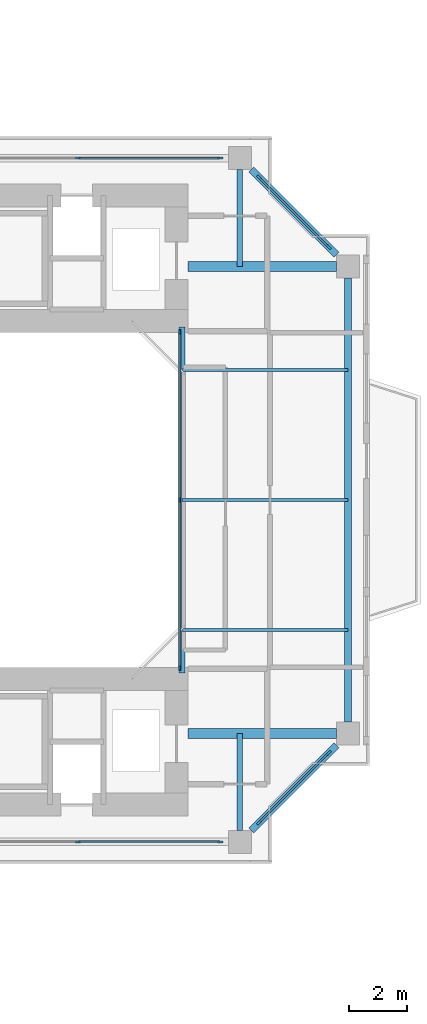
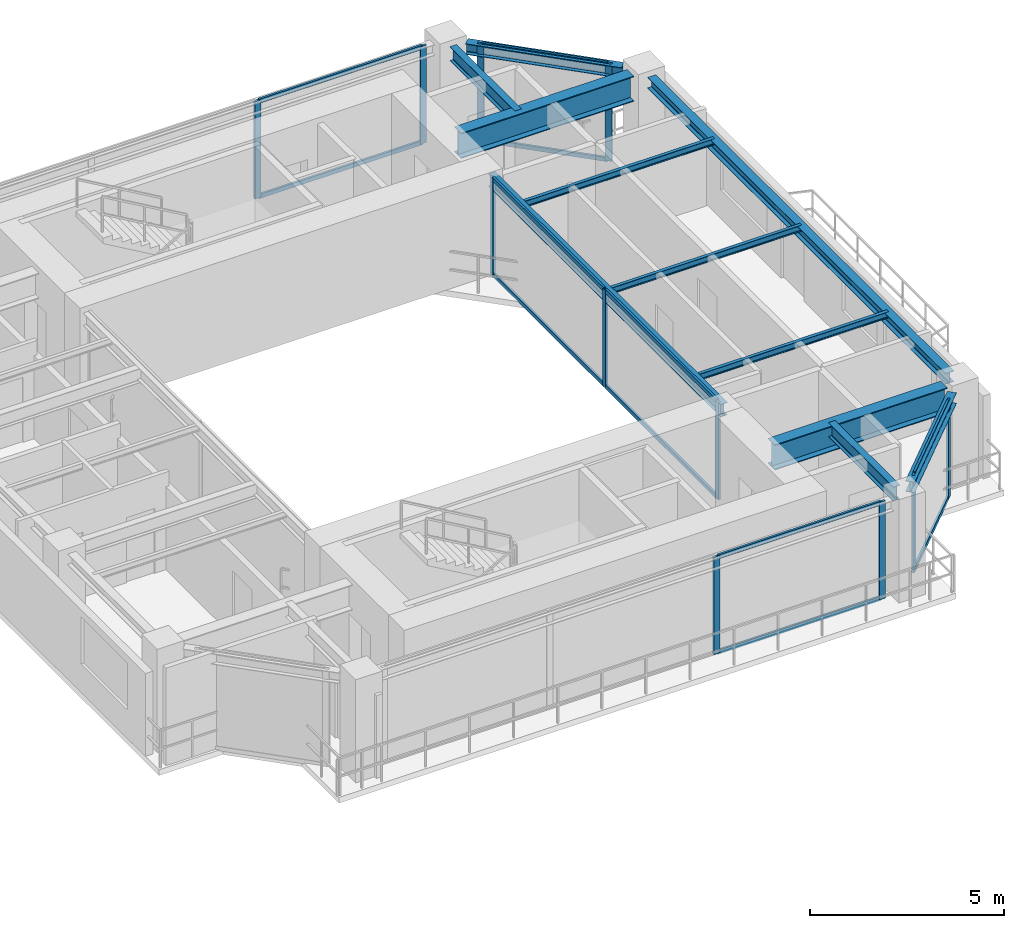
# One storey, part 11 of 23: 23 members, 11 beams, 5 elements without a shape of their own.
"""IFC4 building model written with IfcOpenShell, lengths in metres."""

from ifc_helpers import new_model, si_unit, direction, frame, origin, origin_2d, place, context, subcontext, project, spatial, rectangle, i_section, extrude, source, transform, mapped, material, layer, layer_set, material_profile, profile_set, type_object, element, aggregate, save


model = new_model("IFC4")

# Units and contexts
model_context = context("Model", 3, precision=1e-05, world=origin(), true_north=direction((0.0, 1.0)))
body_context = subcontext(model_context, "Body", "Model", "MODEL_VIEW")
ifc_project = project(units=[si_unit("LENGTHUNIT", "METRE"), si_unit("AREAUNIT", "SQUARE_METRE"), si_unit("VOLUMEUNIT", "CUBIC_METRE"), si_unit("PLANEANGLEUNIT", "RADIAN"), si_unit("MASSUNIT", "GRAM", prefix="KILO"), si_unit("THERMODYNAMICTEMPERATUREUNIT", "KELVIN"), si_unit("POWERUNIT", "WATT")], contexts=[model_context])

# Site, building, storey
site_placement = place(None, origin())
site = spatial("IfcSite", under=ifc_project, at=site_placement, CompositionType="ELEMENT")
building_placement = place(site_placement, origin())
building = spatial("IfcBuilding", under=site, at=building_placement, Name="Qiaomeng Ring Towers", CompositionType="ELEMENT")
storey_placement = place(building_placement, frame((0.0, 0.0, 73.0)))
storey = spatial("IfcBuildingStorey", under=building, at=storey_placement, Name="L20", CompositionType="ELEMENT", Elevation=73.0)

# Beams
ifc_material_1 = material(Name="Steel Q355B", Category="steel")
ifc_material_profile_1 = material_profile(ifc_material_1, i_section(OverallWidth=0.199951171875, OverallDepth=0.39990234375, WebThickness=0.008056640625, FlangeThickness=0.012939453125, FilletRadius=0.01611328125, at=origin_2d()), Name="HN 400x200x8x13")
ifc_profile_set_1 = profile_set([ifc_material_profile_1], Name="Steel Q355B")
beam_type_1 = type_object("IfcBeamType", Name="STR-BM-HN400", PredefinedType="SPANDREL", material=ifc_profile_set_1)
shared_shape_1 = source(origin(), body_context, "Body", "SweptSolid", [
    extrude(i_section(OverallWidth=0.199951171875, OverallDepth=0.39990234375, WebThickness=0.008056640625, FlangeThickness=0.012939453125, FilletRadius=0.01611328125, at=origin_2d()), origin(), (0.0, 0.0, 1.0), 12.0),
])
beam_1_placement = place(storey_placement, frame((66.60009765625, 17.0, 2.8701171875), z_axis=(0.0, 1.0, 0.0), x_axis=(-1.0, 0.0, 0.0)))
element("IfcBeam", 1, at=beam_1_placement, inside=storey, type_object=beam_type_1, Name="L20 beam STR-BM-L20-T2-WELL-E", PredefinedType="SPANDREL", context=body_context, shape_type="MappedRepresentation", body=[
    mapped(shared_shape_1, transform((0.0, 0.0, 0.0), x_axis=(1.0, 0.0, 0.0), y_axis=(0.0, 1.0, 0.0), z_axis=(0.0, 0.0, 1.0), scale=1.0)),
])
ifc_material_profile_2 = material_profile(ifc_material_1, i_section(OverallWidth=0.25, OverallDepth=0.340087890625, WebThickness=0.009033203125, FlangeThickness=0.013916015625, FilletRadius=0.02001953125, at=origin_2d()), Name="HM 340x250x9x14")
ifc_profile_set_2 = profile_set([ifc_material_profile_2], Name="Steel Q355B")
beam_type_2 = type_object("IfcBeamType", Name="STR-BM-HM340", PredefinedType="SPANDREL", material=ifc_profile_set_2)
shared_shape_2 = source(origin(), body_context, "Body", "SweptSolid", [
    extrude(i_section(OverallWidth=0.25, OverallDepth=0.340087890625, WebThickness=0.009033203125, FlangeThickness=0.013916015625, FilletRadius=0.02001953125, at=origin_2d()), origin(), (0.0, 0.0, 1.0), 15.40185546875),
])
beam_2_placement = place(storey_placement, frame((72.35009765625, 15.299072265625, 2.89990234375), z_axis=(0.0, 1.0, 0.0), x_axis=(-1.0, 0.0, 0.0)))
element("IfcBeam", 2, at=beam_2_placement, inside=storey, type_object=beam_type_2, Name="L20 beam STR-SP-L20-T2-E1-E2", PredefinedType="SPANDREL", context=body_context, shape_type="MappedRepresentation", body=[
    mapped(shared_shape_2, transform((0.0, 0.0, 0.0), x_axis=(1.0, 0.0, 0.0), y_axis=(0.0, 1.0, 0.0), z_axis=(0.0, 0.0, 1.0), scale=1.0)),
])
shared_shape_3 = source(origin(), body_context, "Body", "SweptSolid", [
    extrude(i_section(OverallWidth=0.25, OverallDepth=0.340087890625, WebThickness=0.009033203125, FlangeThickness=0.013916015625, FilletRadius=0.02001953125, at=origin_2d()), origin(), (0.0, 0.0, 1.0), 4.173828125),
])
for number, where, z_axis, x_axis, name in (
    (3, (68.999267578125, 11.54931640625, 2.89990234375), (0.707106781187, 0.707106781187, 0.0), (-0.707106781187, 0.707106781187, 0.0), "L20 beam STR-SP-L20-T2-S2-E1"),
    (4, (71.95068359375, 31.499267578125, 2.89990234375), (-0.707106781187, 0.707106781187, 0.0), (-0.707106781187, -0.707106781187, 0.0), "L20 beam STR-SP-L20-T2-E2-N2"),
):
    element("IfcBeam", number, at=place(storey_placement, frame(where, z_axis=z_axis, x_axis=x_axis)), inside=storey, type_object=beam_type_2, Name=name, PredefinedType="SPANDREL", context=body_context, shape_type="MappedRepresentation", body=[
        mapped(shared_shape_3, transform((0.0, 0.0, 0.0), x_axis=(1.0, 0.0, 0.0), y_axis=(0.0, 1.0, 0.0), z_axis=(0.0, 0.0, 1.0), scale=1.0)),
    ])
ifc_material_2 = material(Name="Steel Q390GJC", Category="steel")
ifc_material_profile_3 = material_profile(ifc_material_2, i_section(OverallWidth=0.35009765625, OverallDepth=0.800048828125, WebThickness=0.01611328125, FlangeThickness=0.028076171875, at=origin_2d()), Name="WH 800x350x16x28")
ifc_profile_set_3 = profile_set([ifc_material_profile_3], Name="Steel Q390GJC")
beam_type_3 = type_object("IfcBeamType", Name="STR-BM-WH800", PredefinedType="BEAM", material=ifc_profile_set_3)
shared_shape_4 = source(origin(), body_context, "Body", "SweptSolid", [
    extrude(i_section(OverallWidth=0.35009765625, OverallDepth=0.800048828125, WebThickness=0.01611328125, FlangeThickness=0.028076171875, at=origin_2d()), origin(), (0.0, 0.0, 1.0), 5.15087890625),
])
for number, where, z_axis, x_axis, name in (
    (5, (66.800048828125, 14.89990234375, 2.669921875), (1.0, 0.0, 0.0), (0.0, 1.0, 0.0), "L20 beam STR-BM-L20-T2-RAD-E1"),
    (6, (66.800048828125, 31.10009765625, 2.669921875), (1.0, 0.0, 0.0), (0.0, 1.0, 0.0), "L20 beam STR-BM-L20-T2-RAD-E2"),
):
    element("IfcBeam", number, at=place(storey_placement, frame(where, z_axis=z_axis, x_axis=x_axis)), inside=storey, type_object=beam_type_3, Name=name, PredefinedType="BEAM", context=body_context, shape_type="MappedRepresentation", body=[
        mapped(shared_shape_4, transform((0.0, 0.0, 0.0), x_axis=(1.0, 0.0, 0.0), y_axis=(0.0, 1.0, 0.0), z_axis=(0.0, 0.0, 1.0), scale=1.0)),
    ])
ifc_material_profile_4 = material_profile(ifc_material_1, i_section(OverallWidth=0.199951171875, OverallDepth=0.449951171875, WebThickness=0.009033203125, FlangeThickness=0.013916015625, FilletRadius=0.01806640625, at=origin_2d()), Name="HN 450x200x9x14")
ifc_profile_set_4 = profile_set([ifc_material_profile_4], Name="Steel Q355B")
beam_type_4 = type_object("IfcBeamType", Name="STR-BM-HN450", PredefinedType="SPANDREL", material=ifc_profile_set_4)
shared_shape_5 = source(origin(), body_context, "Body", "SweptSolid", [
    extrude(i_section(OverallWidth=0.199951171875, OverallDepth=0.449951171875, WebThickness=0.009033203125, FlangeThickness=0.013916015625, FilletRadius=0.01806640625, at=origin_2d()), origin(), (0.0, 0.0, 1.0), 3.350830078125),
])
for number, where, z_axis, x_axis, name in (
    (7, (68.60009765625, 34.450927734375, 2.844970703125), (0.0, -1.0, 0.0), (1.0, 0.0, 0.0), "L20 beam STR-BM-L20-T2-RAD-N2"),
    (8, (68.60009765625, 11.549072265625, 2.844970703125), (0.0, 1.0, 0.0), (-1.0, 0.0, 0.0), "L20 beam STR-BM-L20-T2-RAD-S2"),
):
    element("IfcBeam", number, at=place(storey_placement, frame(where, z_axis=z_axis, x_axis=x_axis)), inside=storey, type_object=beam_type_4, Name=name, PredefinedType="SPANDREL", context=body_context, shape_type="MappedRepresentation", body=[
        mapped(shared_shape_5, transform((0.0, 0.0, 0.0), x_axis=(1.0, 0.0, 0.0), y_axis=(0.0, 1.0, 0.0), z_axis=(0.0, 0.0, 1.0), scale=1.0)),
    ])
ifc_material_profile_5 = material_profile(ifc_material_1, i_section(OverallWidth=0.10009765625, OverallDepth=0.199951171875, WebThickness=0.005615234375, FlangeThickness=0.008056640625, FilletRadius=0.010986328125, at=origin_2d()), Name="HN 200x100x5.5x8")
ifc_profile_set_5 = profile_set([ifc_material_profile_5], Name="Steel Q355B")
beam_type_5 = type_object("IfcBeamType", Name="STR-BM-HN200", PredefinedType="JOIST", material=ifc_profile_set_5)
shared_shape_6 = source(origin(), body_context, "Body", "SweptSolid", [
    extrude(i_section(OverallWidth=0.10009765625, OverallDepth=0.199951171875, WebThickness=0.005615234375, FlangeThickness=0.008056640625, FilletRadius=0.010986328125, at=origin_2d()), origin(), (0.0, 0.0, 1.0), 5.75),
])
for number, where, z_axis, x_axis, name in (
    (9, (66.60009765625, 18.5, 2.969970703125), (1.0, 0.0, 0.0), (0.0, 1.0, 0.0), "L20 beam STR-JST-L20-T2E-1"),
    (10, (66.60009765625, 23.0, 2.969970703125), (1.0, 0.0, 0.0), (0.0, 1.0, 0.0), "L20 beam STR-JST-L20-T2E-2"),
    (11, (66.60009765625, 27.5, 2.969970703125), (1.0, 0.0, 0.0), (0.0, 1.0, 0.0), "L20 beam STR-JST-L20-T2E-3"),
):
    element("IfcBeam", number, at=place(storey_placement, frame(where, z_axis=z_axis, x_axis=x_axis)), inside=storey, type_object=beam_type_5, Name=name, PredefinedType="JOIST", context=body_context, shape_type="MappedRepresentation", body=[
        mapped(shared_shape_6, transform((0.0, 0.0, 0.0), x_axis=(1.0, 0.0, 0.0), y_axis=(0.0, 1.0, 0.0), z_axis=(0.0, 0.0, 1.0), scale=1.0)),
    ])

# Curtain wall, members
ifc_material_3 = material(Name="Fluorocarbon dark-grey aluminium", Category="aluminium")
ifc_layer_1 = layer(ifc_material_3, 0.139892578125, Name="Fluorocarbon dark-grey aluminium")
ifc_layer_set_1 = layer_set([ifc_layer_1], Name="Fluorocarbon dark-grey aluminium")
curtain_wall_type_1 = type_object("IfcCurtainWallType", Name="ARC-CW-4", PredefinedType="NOTDEFINED", material=ifc_layer_set_1)
curtain_wall_1_placement = place(storey_placement, origin())
curtain_wall_1 = element("IfcCurtainWall", 12, at=curtain_wall_1_placement, inside=storey, type_object=curtain_wall_type_1, Name="L20 Curtain Wall CW4", PredefinedType="NOTDEFINED")
ifc_material_profile_6 = material_profile(ifc_material_3, rectangle(XDim=0.06494140625, YDim=0.159912109375, at=origin_2d()), Name="ALU MULL 65x160")
ifc_profile_set_6 = profile_set([ifc_material_profile_6], Name="Fluorocarbon dark-grey aluminium")
member_type_1 = type_object("IfcMemberType", Name="ARC-CWM-140", PredefinedType="MULLION", material=ifc_profile_set_6)
shared_shape_7 = source(origin(), body_context, "Body", "SweptSolid", [
    extrude(rectangle(XDim=0.06494140625, YDim=0.159912109375, at=origin_2d()), origin(), (0.0, 0.0, 1.0), 3.070068359375),
])
member_1_placement = place(storey_placement, frame((66.52001953125, 17.1826171875, 0.0), z_axis=(0.0, 0.0, 1.0), x_axis=(-1.0, 0.0, 0.0)))
member_1 = element("IfcMember", 13, at=member_1_placement, type_object=member_type_1, Name="CW4 mullion 1", PredefinedType="MULLION", context=body_context, shape_type="MappedRepresentation", body=[
    mapped(shared_shape_7, transform((0.0, 0.0, 0.0), x_axis=(1.0, 0.0, 0.0), y_axis=(0.0, 1.0, 0.0), z_axis=(0.0, 0.0, 1.0), scale=1.0)),
])
member_2_placement = place(storey_placement, frame((66.52001953125, 23.0, 0.0), z_axis=(0.0, 0.0, 1.0), x_axis=(-1.0, 0.0, 0.0)))
member_2 = element("IfcMember", 14, at=member_2_placement, type_object=member_type_1, Name="CW4 mullion 2", PredefinedType="MULLION", context=body_context, shape_type="MappedRepresentation", body=[
    mapped(shared_shape_7, transform((0.0, 0.0, 0.0), x_axis=(1.0, 0.0, 0.0), y_axis=(0.0, 1.0, 0.0), z_axis=(0.0, 0.0, 1.0), scale=1.0)),
])
member_3_placement = place(storey_placement, frame((66.52001953125, 28.8173828125, 0.0), z_axis=(0.0, 0.0, 1.0), x_axis=(-1.0, 0.0, 0.0)))
member_3 = element("IfcMember", 15, at=member_3_placement, type_object=member_type_1, Name="CW4 mullion 3", PredefinedType="MULLION", context=body_context, shape_type="MappedRepresentation", body=[
    mapped(shared_shape_7, transform((0.0, 0.0, 0.0), x_axis=(1.0, 0.0, 0.0), y_axis=(0.0, 1.0, 0.0), z_axis=(0.0, 0.0, 1.0), scale=1.0)),
])
ifc_material_profile_7 = material_profile(ifc_material_3, rectangle(XDim=0.06494140625, YDim=0.1298828125, at=origin_2d()), Name="ALU TRAN 65x130")
ifc_profile_set_7 = profile_set([ifc_material_profile_7], Name="Fluorocarbon dark-grey aluminium")
member_type_2 = type_object("IfcMemberType", Name="ARC-CWT-120", PredefinedType="USERDEFINED", material=ifc_profile_set_7)
shared_shape_8 = source(origin(), body_context, "Body", "SweptSolid", [
    extrude(rectangle(XDim=0.06494140625, YDim=0.1298828125, at=origin_2d()), origin(), (0.0, 0.0, 1.0), 5.75244140625),
])
member_4_placement = place(storey_placement, frame((66.52001953125, 17.215087890625, 0.032470703125), z_axis=(0.0, 1.0, 0.0), x_axis=(-1.0, 0.0, 0.0)))
member_4 = element("IfcMember", 16, at=member_4_placement, type_object=member_type_2, Name="CW4 transom 1.1", ObjectType="TRANSOM", PredefinedType="USERDEFINED", context=body_context, shape_type="MappedRepresentation", body=[
    mapped(shared_shape_8, transform((0.0, 0.0, 0.0), x_axis=(1.0, 0.0, 0.0), y_axis=(0.0, 1.0, 0.0), z_axis=(0.0, 0.0, 1.0), scale=1.0)),
])
member_5_placement = place(storey_placement, frame((66.52001953125, 17.215087890625, 3.03759765625), z_axis=(0.0, 1.0, 0.0), x_axis=(-1.0, 0.0, 0.0)))
member_5 = element("IfcMember", 17, at=member_5_placement, type_object=member_type_2, Name="CW4 transom 1.2", ObjectType="TRANSOM", PredefinedType="USERDEFINED", context=body_context, shape_type="MappedRepresentation", body=[
    mapped(shared_shape_8, transform((0.0, 0.0, 0.0), x_axis=(1.0, 0.0, 0.0), y_axis=(0.0, 1.0, 0.0), z_axis=(0.0, 0.0, 1.0), scale=1.0)),
])
member_6_placement = place(storey_placement, frame((66.52001953125, 23.032470703125, 0.032470703125), z_axis=(0.0, 1.0, 0.0), x_axis=(-1.0, 0.0, 0.0)))
member_6 = element("IfcMember", 18, at=member_6_placement, type_object=member_type_2, Name="CW4 transom 2.1", ObjectType="TRANSOM", PredefinedType="USERDEFINED", context=body_context, shape_type="MappedRepresentation", body=[
    mapped(shared_shape_8, transform((0.0, 0.0, 0.0), x_axis=(1.0, 0.0, 0.0), y_axis=(0.0, 1.0, 0.0), z_axis=(0.0, 0.0, 1.0), scale=1.0)),
])
member_7_placement = place(storey_placement, frame((66.52001953125, 23.032470703125, 3.03759765625), z_axis=(0.0, 1.0, 0.0), x_axis=(-1.0, 0.0, 0.0)))
member_7 = element("IfcMember", 19, at=member_7_placement, type_object=member_type_2, Name="CW4 transom 2.2", ObjectType="TRANSOM", PredefinedType="USERDEFINED", context=body_context, shape_type="MappedRepresentation", body=[
    mapped(shared_shape_8, transform((0.0, 0.0, 0.0), x_axis=(1.0, 0.0, 0.0), y_axis=(0.0, 1.0, 0.0), z_axis=(0.0, 0.0, 1.0), scale=1.0)),
])
aggregate(curtain_wall_1, [member_1, member_2, member_3, member_4, member_5, member_6, member_7])

ifc_layer_2 = layer(ifc_material_3, 0.14990234375, Name="Fluorocarbon dark-grey aluminium")
ifc_layer_set_2 = layer_set([ifc_layer_2], Name="Fluorocarbon dark-grey aluminium")
curtain_wall_type_2 = type_object("IfcCurtainWallType", Name="ARC-CW-5", PredefinedType="NOTDEFINED", material=ifc_layer_set_2)
curtain_wall_2_placement = place(storey_placement, origin())
curtain_wall_2 = element("IfcCurtainWall", 20, at=curtain_wall_2_placement, inside=storey, type_object=curtain_wall_type_2, Name="L20 Curtain Wall CW5", PredefinedType="NOTDEFINED")
ifc_material_profile_8 = material_profile(ifc_material_3, rectangle(XDim=0.070068359375, YDim=0.179931640625, at=origin_2d()), Name="ALU MULL 70x180")
ifc_profile_set_8 = profile_set([ifc_material_profile_8], Name="Fluorocarbon dark-grey aluminium")
member_type_3 = type_object("IfcMemberType", Name="ARC-CWM-160", PredefinedType="MULLION", material=ifc_profile_set_8)
shared_shape_9 = source(origin(), body_context, "Body", "SweptSolid", [
    extrude(rectangle(XDim=0.070068359375, YDim=0.179931640625, at=origin_2d()), origin(), (0.0, 0.0, 1.0), 3.070068359375),
])
member_8_placement = place(storey_placement, frame((62.986572265625, 34.85009765625, 0.0), z_axis=(0.0, 0.0, 1.0), x_axis=(0.0, 1.0, 0.0)))
member_8 = element("IfcMember", 21, at=member_8_placement, type_object=member_type_3, Name="CW5 mullion 3", PredefinedType="MULLION", context=body_context, shape_type="MappedRepresentation", body=[
    mapped(shared_shape_9, transform((0.0, 0.0, 0.0), x_axis=(1.0, 0.0, 0.0), y_axis=(0.0, 1.0, 0.0), z_axis=(0.0, 0.0, 1.0), scale=1.0)),
])
member_9_placement = place(storey_placement, frame((67.925048828125, 34.85009765625, 0.0), z_axis=(0.0, 0.0, 1.0), x_axis=(0.0, 1.0, 0.0)))
member_9 = element("IfcMember", 22, at=member_9_placement, type_object=member_type_3, Name="CW5 mullion 4", PredefinedType="MULLION", context=body_context, shape_type="MappedRepresentation", body=[
    mapped(shared_shape_9, transform((0.0, 0.0, 0.0), x_axis=(1.0, 0.0, 0.0), y_axis=(0.0, 1.0, 0.0), z_axis=(0.0, 0.0, 1.0), scale=1.0)),
])

curtain_wall_3_placement = place(storey_placement, origin())
curtain_wall_3 = element("IfcCurtainWall", 23, at=curtain_wall_3_placement, inside=storey, type_object=curtain_wall_type_2, Name="L20 Curtain Wall CW5", PredefinedType="NOTDEFINED")
member_10_placement = place(storey_placement, frame((69.2646484375, 11.814697265625, 0.0), z_axis=(0.0, 0.0, 1.0), x_axis=(-0.707106781187, 0.707106781187, 0.0)))
member_10 = element("IfcMember", 24, at=member_10_placement, type_object=member_type_3, Name="CW5 mullion 1", PredefinedType="MULLION", context=body_context, shape_type="MappedRepresentation", body=[
    mapped(shared_shape_9, transform((0.0, 0.0, 0.0), x_axis=(1.0, 0.0, 0.0), y_axis=(0.0, 1.0, 0.0), z_axis=(0.0, 0.0, 1.0), scale=1.0)),
])
member_11_placement = place(storey_placement, frame((71.685302734375, 14.2353515625, 0.0), z_axis=(0.0, 0.0, 1.0), x_axis=(-0.707106781187, 0.707106781187, 0.0)))
member_11 = element("IfcMember", 25, at=member_11_placement, type_object=member_type_3, Name="CW5 mullion 2", PredefinedType="MULLION", context=body_context, shape_type="MappedRepresentation", body=[
    mapped(shared_shape_9, transform((0.0, 0.0, 0.0), x_axis=(1.0, 0.0, 0.0), y_axis=(0.0, 1.0, 0.0), z_axis=(0.0, 0.0, 1.0), scale=1.0)),
])

curtain_wall_4_placement = place(storey_placement, origin())
curtain_wall_4 = element("IfcCurtainWall", 26, at=curtain_wall_4_placement, inside=storey, type_object=curtain_wall_type_2, Name="L20 Curtain Wall CW5", PredefinedType="NOTDEFINED")
member_12_placement = place(storey_placement, frame((71.685302734375, 31.7646484375, 0.0), z_axis=(0.0, 0.0, 1.0), x_axis=(-0.707106781187, -0.707106781187, 0.0)))
member_12 = element("IfcMember", 27, at=member_12_placement, type_object=member_type_3, Name="CW5 mullion 1", PredefinedType="MULLION", context=body_context, shape_type="MappedRepresentation", body=[
    mapped(shared_shape_9, transform((0.0, 0.0, 0.0), x_axis=(1.0, 0.0, 0.0), y_axis=(0.0, 1.0, 0.0), z_axis=(0.0, 0.0, 1.0), scale=1.0)),
])
member_13_placement = place(storey_placement, frame((69.2646484375, 34.185302734375, 0.0), z_axis=(0.0, 0.0, 1.0), x_axis=(-0.707106781187, -0.707106781187, 0.0)))
member_13 = element("IfcMember", 28, at=member_13_placement, type_object=member_type_3, Name="CW5 mullion 2", PredefinedType="MULLION", context=body_context, shape_type="MappedRepresentation", body=[
    mapped(shared_shape_9, transform((0.0, 0.0, 0.0), x_axis=(1.0, 0.0, 0.0), y_axis=(0.0, 1.0, 0.0), z_axis=(0.0, 0.0, 1.0), scale=1.0)),
])

curtain_wall_5_placement = place(storey_placement, origin())
curtain_wall_5 = element("IfcCurtainWall", 29, at=curtain_wall_5_placement, inside=storey, type_object=curtain_wall_type_2, Name="L20 Curtain Wall CW5", PredefinedType="NOTDEFINED")
member_14_placement = place(storey_placement, frame((62.986572265625, 11.14990234375, 0.0), z_axis=(0.0, 0.0, 1.0), x_axis=(0.0, 1.0, 0.0)))
member_14 = element("IfcMember", 30, at=member_14_placement, type_object=member_type_3, Name="CW5 mullion 3", PredefinedType="MULLION", context=body_context, shape_type="MappedRepresentation", body=[
    mapped(shared_shape_9, transform((0.0, 0.0, 0.0), x_axis=(1.0, 0.0, 0.0), y_axis=(0.0, 1.0, 0.0), z_axis=(0.0, 0.0, 1.0), scale=1.0)),
])
member_15_placement = place(storey_placement, frame((67.925048828125, 11.14990234375, 0.0), z_axis=(0.0, 0.0, 1.0), x_axis=(0.0, 1.0, 0.0)))
member_15 = element("IfcMember", 31, at=member_15_placement, type_object=member_type_3, Name="CW5 mullion 4", PredefinedType="MULLION", context=body_context, shape_type="MappedRepresentation", body=[
    mapped(shared_shape_9, transform((0.0, 0.0, 0.0), x_axis=(1.0, 0.0, 0.0), y_axis=(0.0, 1.0, 0.0), z_axis=(0.0, 0.0, 1.0), scale=1.0)),
])

# Member
shared_shape_10 = source(origin(), body_context, "Body", "SweptSolid", [
    extrude(rectangle(XDim=0.06494140625, YDim=0.1298828125, at=origin_2d()), origin(), (0.0, 0.0, 1.0), 4.8681640625),
])
member_16_placement = place(storey_placement, frame((63.021728515625, 34.85009765625, 0.032470703125), z_axis=(1.0, 0.0, 0.0), x_axis=(0.0, 1.0, 0.0)))
member_16 = element("IfcMember", 32, at=member_16_placement, type_object=member_type_2, Name="CW5 transom 3.1", ObjectType="TRANSOM", PredefinedType="USERDEFINED", context=body_context, shape_type="MappedRepresentation", body=[
    mapped(shared_shape_10, transform((0.0, 0.0, 0.0), x_axis=(1.0, 0.0, 0.0), y_axis=(0.0, 1.0, 0.0), z_axis=(0.0, 0.0, 1.0), scale=1.0)),
])

member_17_placement = place(storey_placement, frame((63.021728515625, 34.85009765625, 3.03759765625), z_axis=(1.0, 0.0, 0.0), x_axis=(0.0, 1.0, 0.0)))
member_17 = element("IfcMember", 33, at=member_17_placement, type_object=member_type_2, Name="CW5 transom 3.2", ObjectType="TRANSOM", PredefinedType="USERDEFINED", context=body_context, shape_type="MappedRepresentation", body=[
    mapped(shared_shape_10, transform((0.0, 0.0, 0.0), x_axis=(1.0, 0.0, 0.0), y_axis=(0.0, 1.0, 0.0), z_axis=(0.0, 0.0, 1.0), scale=1.0)),
])

aggregate(curtain_wall_2, [member_8, member_9, member_16, member_17])

member_18_placement = place(storey_placement, frame((63.021728515625, 11.14990234375, 0.032470703125), z_axis=(1.0, 0.0, 0.0), x_axis=(0.0, 1.0, 0.0)))
member_18 = element("IfcMember", 34, at=member_18_placement, type_object=member_type_2, Name="CW5 transom 3.1", ObjectType="TRANSOM", PredefinedType="USERDEFINED", context=body_context, shape_type="MappedRepresentation", body=[
    mapped(shared_shape_10, transform((0.0, 0.0, 0.0), x_axis=(1.0, 0.0, 0.0), y_axis=(0.0, 1.0, 0.0), z_axis=(0.0, 0.0, 1.0), scale=1.0)),
])

member_19_placement = place(storey_placement, frame((63.021728515625, 11.14990234375, 3.03759765625), z_axis=(1.0, 0.0, 0.0), x_axis=(0.0, 1.0, 0.0)))
member_19 = element("IfcMember", 35, at=member_19_placement, type_object=member_type_2, Name="CW5 transom 3.2", ObjectType="TRANSOM", PredefinedType="USERDEFINED", context=body_context, shape_type="MappedRepresentation", body=[
    mapped(shared_shape_10, transform((0.0, 0.0, 0.0), x_axis=(1.0, 0.0, 0.0), y_axis=(0.0, 1.0, 0.0), z_axis=(0.0, 0.0, 1.0), scale=1.0)),
])

aggregate(curtain_wall_5, [member_14, member_15, member_18, member_19])

shared_shape_11 = source(origin(), body_context, "Body", "SweptSolid", [
    extrude(rectangle(XDim=0.06494140625, YDim=0.1298828125, at=origin_2d()), origin(), (0.0, 0.0, 1.0), 3.352783203125),
])
member_20_placement = place(storey_placement, frame((69.28955078125, 11.839599609375, 0.032470703125), z_axis=(0.707106781187, 0.707106781187, 0.0), x_axis=(-0.707106781187, 0.707106781187, 0.0)))
member_20 = element("IfcMember", 36, at=member_20_placement, type_object=member_type_2, Name="CW5 transom 1.1", ObjectType="TRANSOM", PredefinedType="USERDEFINED", context=body_context, shape_type="MappedRepresentation", body=[
    mapped(shared_shape_11, transform((0.0, 0.0, 0.0), x_axis=(1.0, 0.0, 0.0), y_axis=(0.0, 1.0, 0.0), z_axis=(0.0, 0.0, 1.0), scale=1.0)),
])

member_21_placement = place(storey_placement, frame((69.28955078125, 11.839599609375, 3.03759765625), z_axis=(0.707106781187, 0.707106781187, 0.0), x_axis=(-0.707106781187, 0.707106781187, 0.0)))
member_21 = element("IfcMember", 37, at=member_21_placement, type_object=member_type_2, Name="CW5 transom 1.2", ObjectType="TRANSOM", PredefinedType="USERDEFINED", context=body_context, shape_type="MappedRepresentation", body=[
    mapped(shared_shape_11, transform((0.0, 0.0, 0.0), x_axis=(1.0, 0.0, 0.0), y_axis=(0.0, 1.0, 0.0), z_axis=(0.0, 0.0, 1.0), scale=1.0)),
])

aggregate(curtain_wall_3, [member_10, member_11, member_20, member_21])

member_22_placement = place(storey_placement, frame((71.660400390625, 31.78955078125, 0.032470703125), z_axis=(-0.707106781187, 0.707106781187, 0.0), x_axis=(-0.707106781187, -0.707106781187, 0.0)))
member_22 = element("IfcMember", 38, at=member_22_placement, type_object=member_type_2, Name="CW5 transom 1.1", ObjectType="TRANSOM", PredefinedType="USERDEFINED", context=body_context, shape_type="MappedRepresentation", body=[
    mapped(shared_shape_11, transform((0.0, 0.0, 0.0), x_axis=(1.0, 0.0, 0.0), y_axis=(0.0, 1.0, 0.0), z_axis=(0.0, 0.0, 1.0), scale=1.0)),
])

member_23_placement = place(storey_placement, frame((71.660400390625, 31.78955078125, 3.03759765625), z_axis=(-0.707106781187, 0.707106781187, 0.0), x_axis=(-0.707106781187, -0.707106781187, 0.0)))
member_23 = element("IfcMember", 39, at=member_23_placement, type_object=member_type_2, Name="CW5 transom 1.2", ObjectType="TRANSOM", PredefinedType="USERDEFINED", context=body_context, shape_type="MappedRepresentation", body=[
    mapped(shared_shape_11, transform((0.0, 0.0, 0.0), x_axis=(1.0, 0.0, 0.0), y_axis=(0.0, 1.0, 0.0), z_axis=(0.0, 0.0, 1.0), scale=1.0)),
])

aggregate(curtain_wall_4, [member_12, member_13, member_22, member_23])

save(model, "model.ifc")
